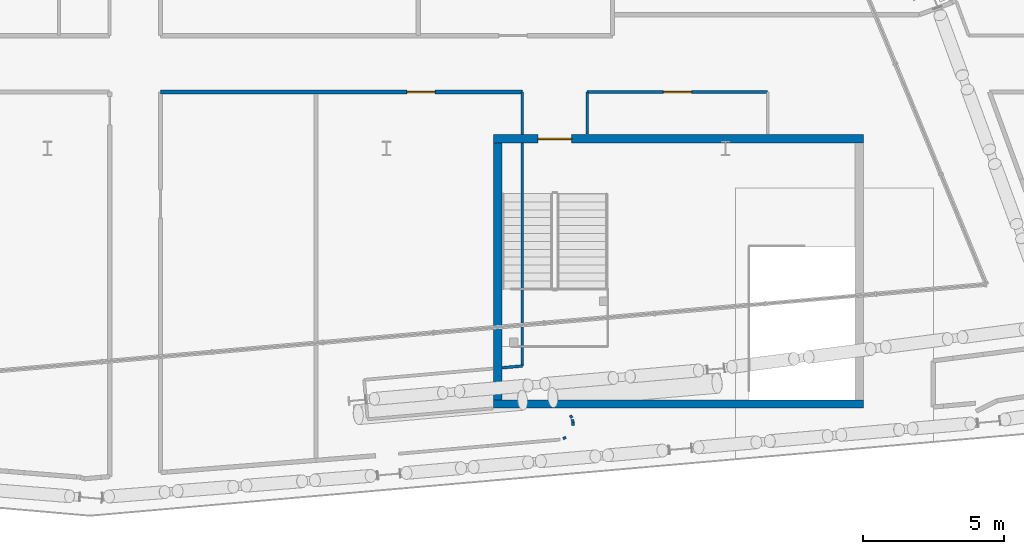
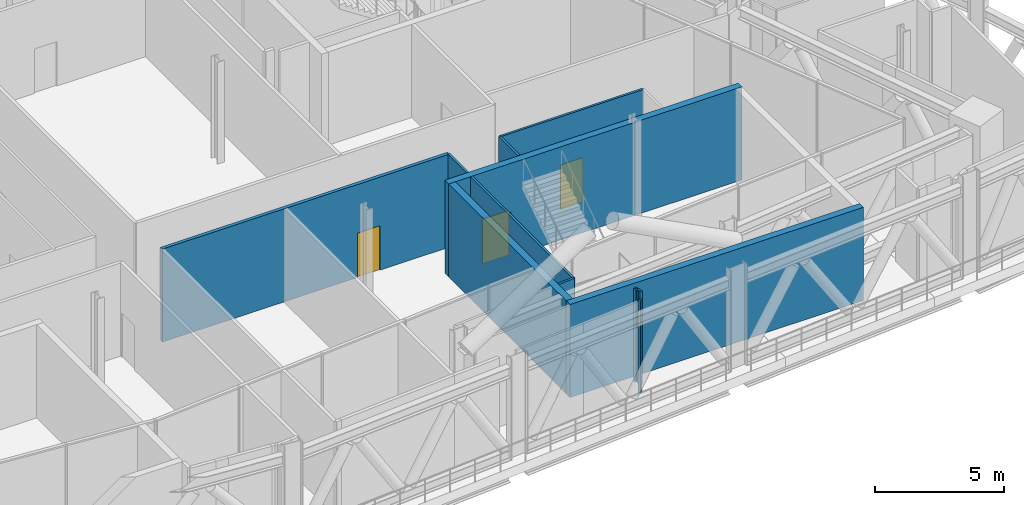
# One storey, part 18 of 42: 13 walls, 3 doors, 3 openings.
"""IFC4 building model written with IfcOpenShell, lengths in metres."""

from ifc_helpers import new_model, si_unit, direction, frame, frame_2d, origin, place, context, subcontext, project, spatial, rectangle, extrude, material, layer, layer_set, type_object, element, fill, save


model = new_model("IFC4")

# Units and contexts
model_context = context("Model", 3, precision=1e-05, world=origin(), true_north=direction((0.0, 1.0)))
body_context = subcontext(model_context, "Body", "Model", "MODEL_VIEW")
ifc_project = project(units=[si_unit("LENGTHUNIT", "METRE"), si_unit("AREAUNIT", "SQUARE_METRE"), si_unit("VOLUMEUNIT", "CUBIC_METRE"), si_unit("PLANEANGLEUNIT", "RADIAN"), si_unit("MASSUNIT", "GRAM", prefix="KILO")], contexts=[model_context])

# Site, building, storey
site_placement = place(None, origin())
site = spatial("IfcSite", under=ifc_project, at=site_placement, CompositionType="ELEMENT")
building_placement = place(site_placement, origin())
building = spatial("IfcBuilding", under=site, at=building_placement, Name="Wharfspan Tower", CompositionType="ELEMENT")
storey_placement = place(building_placement, frame((0.0, 0.0, 147.100098)))
storey = spatial("IfcBuildingStorey", under=building, at=storey_placement, Name="L35", CompositionType="ELEMENT", Elevation=147.100098)

# Walls
ifc_material_1 = material(Name="Gypsum board on steel studs", Category="steel")
ifc_layer_1 = layer(ifc_material_1, 0.100098)
ifc_layer_set_1 = layer_set([ifc_layer_1], Name="Gypsum board on steel studs")
wall_type_1 = type_object("IfcWallType", Name="Compartment wall 100 EI 60", PredefinedType="PARTITIONING", material=ifc_layer_set_1)
wall_1_placement = place(storey_placement, frame((64.810059, 3.790039, 0.0), z_axis=(0.0, 0.0, 1.0), x_axis=(0.0, 1.0, 0.0)))
element("IfcWall", 1, at=wall_1_placement, inside=storey, type_object=wall_type_1, Name="Partition L35.w069", PredefinedType="PARTITIONING", context=body_context, shape_type="SweptSolid", body=[
    extrude(rectangle(XDim=7.893555, YDim=0.100098, at=frame_2d((3.946777, 0.0))), origin(), (0.0, 0.0, 1.0), 4.399902),
])
wall_2_placement = place(storey_placement, frame((67.110107, 12.003662, 0.0), z_axis=(0.0, 0.0, 1.0), x_axis=(0.0, 1.0, 0.0)))
element("IfcWall", 2, at=wall_2_placement, inside=storey, type_object=wall_type_1, Name="Partition L35.w075", PredefinedType="PARTITIONING", context=body_context, shape_type="SweptSolid", body=[
    extrude(rectangle(XDim=1.486328, YDim=0.100098, at=frame_2d((0.743164, 0.0))), origin(), (0.0, 0.0, 1.0), 4.399902),
])

# Wall, opening, door
wall_3_placement = place(storey_placement, frame((67.110107, 13.48999, 0.0), z_axis=(0.0, 0.0, 1.0), x_axis=(1.0, 0.0, 0.0)))
wall_3 = element("IfcWall", 3, at=wall_3_placement, inside=storey, type_object=wall_type_1, Name="Partition L35.w076", PredefinedType="PARTITIONING", context=body_context, shape_type="SweptSolid", body=[
    extrude(rectangle(XDim=6.389893, YDim=0.100098, at=frame_2d((3.194824, 0.0))), origin(), (0.0, 0.0, 1.0), 4.399902),
])
opening_1_placement = place(wall_3_placement, frame((2.699951, 0.0, 0.0)))
opening_1 = element("IfcOpeningElement", 4, at=opening_1_placement, cuts=wall_3, Name="Opening BB-07", PredefinedType="OPENING", context=body_context, shape_type="SweptSolid", body=[
    extrude(rectangle(XDim=1.0, YDim=2.100098, at=frame_2d((0.5, 1.050049))), frame((0.0, 0.060059, 0.0), z_axis=(0.0, -1.0, 0.0), x_axis=(1.0, 0.0, 0.0)), (0.0, 0.0, 1.0), 0.120117),
])
ifc_material_2 = material(Name="Fire-rated timber door leaf in steel frame", Category="steel")
door_type_1 = type_object("IfcDoorType", Name="Door 1000 FD30S Right", OperationType="SINGLE_SWING_RIGHT", PredefinedType="DOOR", material=ifc_material_2)
door_1_placement = place(opening_1_placement, origin())
door_1 = element("IfcDoor", 5, at=door_1_placement, inside=storey, type_object=door_type_1, Name="Door BB-07", OperationType="SINGLE_SWING_RIGHT", OverallHeight=2.100098, OverallWidth=1.0, PredefinedType="DOOR", context=body_context, shape_type="SweptSolid", body=[
    extrude(rectangle(XDim=1.0, YDim=2.100098, at=frame_2d((0.5, 1.050049))), frame((0.0, 0.024902, 0.0), z_axis=(0.0, -1.0, 0.0), x_axis=(1.0, 0.0, 0.0)), (0.0, 0.0, 1.0), 0.050049),
])
fill(opening_1, door_1)

# Walls
wall_4_placement = place(storey_placement, frame((64.810059, 11.983643, 0.0), z_axis=(0.0, 0.0, 1.0), x_axis=(0.0, 1.0, 0.0)))
element("IfcWall", 6, at=wall_4_placement, inside=storey, type_object=wall_type_1, Name="Partition L35.w069 (2)", PredefinedType="PARTITIONING", context=body_context, shape_type="SweptSolid", body=[
    extrude(rectangle(XDim=1.506348, YDim=0.100098, at=frame_2d((0.753174, 0.0))), origin(), (0.0, 0.0, 1.0), 4.399902),
])
ifc_layer_2 = layer(ifc_material_1, 0.100098)
ifc_layer_set_2 = layer_set([ifc_layer_2], Name="Gypsum board on steel studs")
wall_type_2 = type_object("IfcWallType", Name="Partition 100", PredefinedType="PARTITIONING", material=ifc_layer_set_2)
wall_5_placement = place(storey_placement, frame((64.086426, 3.726562, 0.0), z_axis=(0.0, 0.0, 1.0), x_axis=(0.996178, 0.087384, 0.0)))
element("IfcWall", 7, at=wall_5_placement, inside=storey, type_object=wall_type_2, Name="Partition L35.w066", PredefinedType="PARTITIONING", context=body_context, shape_type="SweptSolid", body=[
    extrude(rectangle(XDim=0.726318, YDim=0.100098, at=frame_2d((0.363281, 0.0))), origin(), (0.0, 0.0, 1.0), 4.399902),
])
wall_6_placement = place(storey_placement, frame((66.254883, 1.215088, 0.0), z_axis=(0.0, 0.0, 1.0), x_axis=(0.895295, 0.445464, 0.0)))
element("IfcWall", 8, at=wall_6_placement, inside=storey, type_object=wall_type_2, Name="Partition L35.w071", PredefinedType="PARTITIONING", context=body_context, shape_type="SweptSolid", body=[
    extrude(rectangle(XDim=0.111816, YDim=0.100098, at=frame_2d((0.055908, 0.0))), origin(), (0.0, 0.0, 1.0), 4.399902),
])
wall_7_placement = place(storey_placement, frame((66.564941, 1.949951, 0.0), z_axis=(0.0, 0.0, 1.0), x_axis=(-0.485062, 0.874478, 0.0)))
element("IfcWall", 9, at=wall_7_placement, inside=storey, type_object=wall_type_2, Name="Partition L35.w072", PredefinedType="PARTITIONING", context=body_context, shape_type="SweptSolid", body=[
    extrude(rectangle(XDim=0.107178, YDim=0.100098, at=frame_2d((0.053711, 0.0))), origin(), (0.0, 0.0, 1.0), 4.399902),
])
wall_8_placement = place(storey_placement, frame((66.60498, 1.675049, 0.0), z_axis=(0.0, 0.0, 1.0), x_axis=(0.0, 1.0, 0.0)))
element("IfcWall", 10, at=wall_8_placement, inside=storey, type_object=wall_type_2, Name="Partition L35.w073", PredefinedType="PARTITIONING", context=body_context, shape_type="SweptSolid", body=[
    extrude(rectangle(XDim=0.109863, YDim=0.100098, at=frame_2d((0.054932, 0.0))), origin(), (0.0, 0.0, 1.0), 4.399902),
])
wall_9_placement = place(storey_placement, frame((66.60498, 1.784912, 0.0), z_axis=(0.0, 0.0, 1.0), x_axis=(-0.178886, 0.983873, 0.0)))
element("IfcWall", 11, at=wall_9_placement, inside=storey, type_object=wall_type_2, Name="Partition L35.w074", PredefinedType="PARTITIONING", context=body_context, shape_type="SweptSolid", body=[
    extrude(rectangle(XDim=0.111816, YDim=0.100098, at=frame_2d((0.055908, 0.0))), origin(), (0.0, 0.0, 1.0), 4.399902),
])

# Wall, opening, door
ifc_layer_3 = layer(ifc_material_1, 0.149902)
ifc_layer_set_3 = layer_set([ifc_layer_3], Name="Gypsum board on steel studs")
wall_type_3 = type_object("IfcWallType", Name="Plant room wall 150 EI 120", PredefinedType="PARTITIONING", material=ifc_layer_set_3)
wall_10_placement = place(storey_placement, frame((52.0, 13.48999, 0.0), z_axis=(0.0, 0.0, 1.0), x_axis=(1.0, 0.0, 0.0)))
wall_10 = element("IfcWall", 12, at=wall_10_placement, inside=storey, type_object=wall_type_3, Name="Partition L35.w049", PredefinedType="PARTITIONING", context=body_context, shape_type="SweptSolid", body=[
    extrude(rectangle(XDim=12.810059, YDim=0.149902, at=frame_2d((6.405029, 0.0))), origin(), (0.0, 0.0, 1.0), 4.399902),
])
opening_2_placement = place(wall_10_placement, frame((8.720947, 0.0, 0.0)))
opening_2 = element("IfcOpeningElement", 13, at=opening_2_placement, cuts=wall_10, Name="Opening BB-06", PredefinedType="OPENING", context=body_context, shape_type="SweptSolid", body=[
    extrude(rectangle(XDim=1.0, YDim=2.100098, at=frame_2d((0.5, 1.050049))), frame((0.0, 0.084961, 0.0), z_axis=(0.0, -1.0, 0.0), x_axis=(1.0, 0.0, 0.0)), (0.0, 0.0, 1.0), 0.169922),
])
door_2_placement = place(opening_2_placement, origin())
door_2 = element("IfcDoor", 14, at=door_2_placement, inside=storey, type_object=door_type_1, Name="Door BB-06", OperationType="SINGLE_SWING_RIGHT", OverallHeight=2.100098, OverallWidth=1.0, PredefinedType="DOOR", context=body_context, shape_type="SweptSolid", body=[
    extrude(rectangle(XDim=1.0, YDim=2.100098, at=frame_2d((0.5, 1.050049))), frame((0.0, 0.024902, 0.0), z_axis=(0.0, -1.0, 0.0), x_axis=(1.0, 0.0, 0.0)), (0.0, 0.0, 1.0), 0.050049),
])
fill(opening_2, door_2)

ifc_material_3 = material(Name="Concrete C40/50", Category="concrete")
ifc_layer_4 = layer(ifc_material_3, 0.300049)
ifc_layer_set_4 = layer_set([ifc_layer_4], Name="Concrete C40/50")
wall_type_4 = type_object("IfcWallType", Name="Stair core wall 300", PredefinedType="SHEAR", material=ifc_layer_set_4)
wall_11_placement = place(storey_placement, frame((63.786377, 11.83374, 0.0), z_axis=(0.0, 0.0, 1.0), x_axis=(1.0, 0.0, 0.0)))
wall_11 = element("IfcWall", 15, at=wall_11_placement, inside=storey, type_object=wall_type_4, Name="ST5 stair enclosure wall L35", PredefinedType="SHEAR", context=body_context, shape_type="SweptSolid", body=[
    extrude(rectangle(XDim=13.104736, YDim=0.300049, at=frame_2d((6.552246, 0.0))), origin(), (0.0, 0.0, 1.0), 4.399902),
])
opening_3_placement = place(wall_11_placement, frame((1.574951, 0.0, 0.0)))
opening_3 = element("IfcOpeningElement", 16, at=opening_3_placement, cuts=wall_11, Name="Opening SD5.L35", PredefinedType="OPENING", context=body_context, shape_type="SweptSolid", body=[
    extrude(rectangle(XDim=1.199951, YDim=2.100098, at=frame_2d((0.600098, 1.050049))), frame((0.0, 0.159912, 0.0), z_axis=(0.0, -1.0, 0.0), x_axis=(1.0, 0.0, 0.0)), (0.0, 0.0, 1.0), 0.320068),
])
ifc_material_4 = material(Name="Steel door leaf", Category="steel")
door_type_2 = type_object("IfcDoorType", Name="Stair door 1200x2100", OperationType="SINGLE_SWING_LEFT", PredefinedType="DOOR", material=ifc_material_4)
door_3_placement = place(opening_3_placement, origin())
door_3 = element("IfcDoor", 17, at=door_3_placement, inside=storey, type_object=door_type_2, Name="sd:L35:ST5z3", OperationType="SINGLE_SWING_RIGHT", OverallHeight=2.100098, OverallWidth=1.199951, PredefinedType="DOOR", context=body_context, shape_type="SweptSolid", body=[
    extrude(rectangle(XDim=1.199951, YDim=2.100098, at=frame_2d((0.600098, 1.050049))), frame((0.0, 0.024902, 0.0), z_axis=(0.0, -1.0, 0.0), x_axis=(1.0, 0.0, 0.0)), (0.0, 0.0, 1.0), 0.050049),
])
fill(opening_3, door_3)

# Walls
wall_12_placement = place(storey_placement, frame((63.786377, 2.44458, 0.0), z_axis=(0.0, 0.0, 1.0), x_axis=(1.0, 0.0, 0.0)))
element("IfcWall", 18, at=wall_12_placement, inside=storey, type_object=wall_type_4, Name="ST5 stair enclosure wall L35", PredefinedType="SHEAR", context=body_context, shape_type="SweptSolid", body=[
    extrude(rectangle(XDim=13.104736, YDim=0.300049, at=frame_2d((6.552246, 0.0))), origin(), (0.0, 0.0, 1.0), 4.399902),
])
wall_13_placement = place(storey_placement, frame((63.936279, 2.594727, 0.0), z_axis=(0.0, 0.0, 1.0), x_axis=(0.0, 1.0, 0.0)))
element("IfcWall", 19, at=wall_13_placement, inside=storey, type_object=wall_type_4, Name="ST5 stair enclosure wall L35", PredefinedType="SHEAR", context=body_context, shape_type="SweptSolid", body=[
    extrude(rectangle(XDim=9.088867, YDim=0.300049, at=frame_2d((4.544434, 0.0))), origin(), (0.0, 0.0, 1.0), 4.399902),
])

save(model, "model.ifc")
